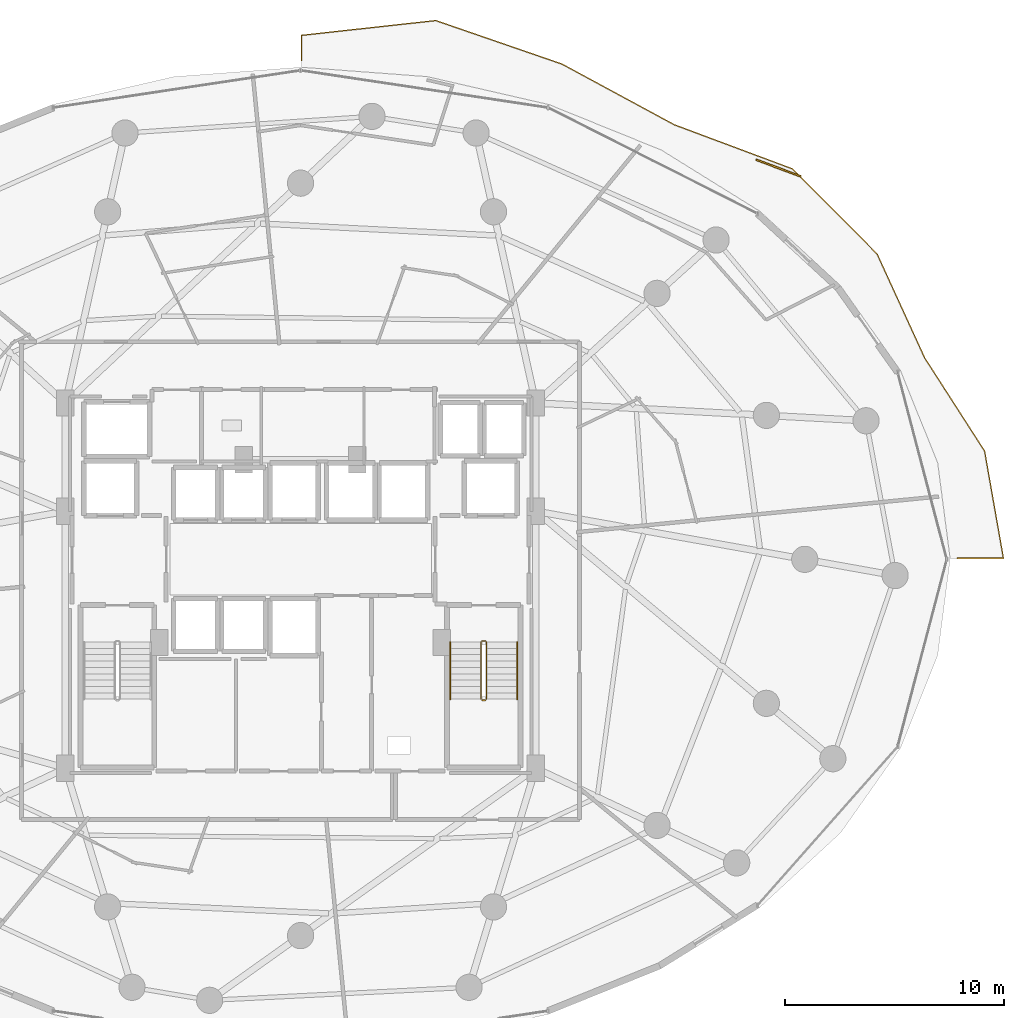
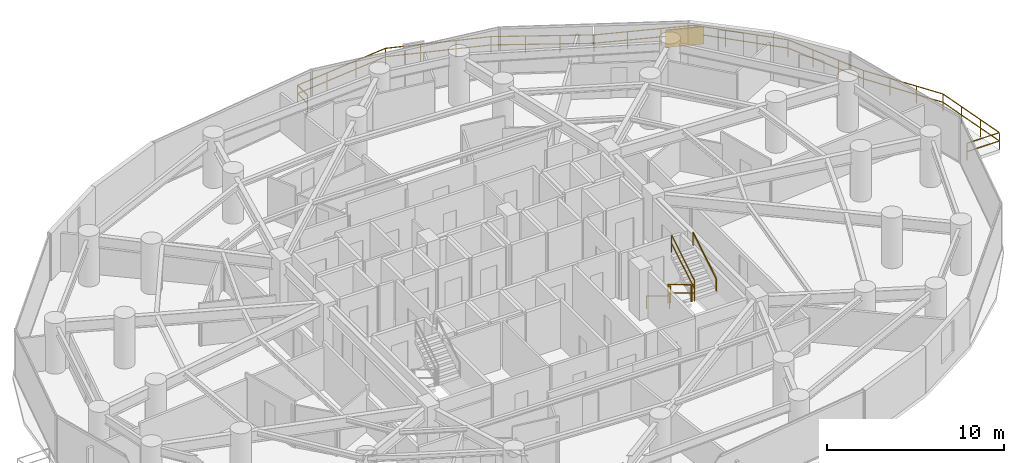
# One storey, part 32 of 33: 8 railings, 1 shading device.
"""IFC4 building model written with IfcOpenShell, lengths in metres."""

from ifc_helpers import new_model, si_unit, direction, frame, origin, origin_2d, place, context, subcontext, project, spatial, rectangle, extrude, material, type_object, element, save


model = new_model("IFC4")

# Units and contexts
model_context = context("Model", 3, precision=1e-05, world=origin(), true_north=direction((0.0, 1.0)))
body_context = subcontext(model_context, "Body", "Model", "MODEL_VIEW")
ifc_project = project(units=[si_unit("LENGTHUNIT", "METRE"), si_unit("AREAUNIT", "SQUARE_METRE"), si_unit("VOLUMEUNIT", "CUBIC_METRE"), si_unit("PLANEANGLEUNIT", "RADIAN"), si_unit("MASSUNIT", "GRAM", prefix="KILO")], contexts=[model_context])

# Site, building, storey
site_placement = place(None, origin())
site = spatial("IfcSite", under=ifc_project, at=site_placement, CompositionType="ELEMENT")
building_placement = place(site_placement, origin())
building = spatial("IfcBuilding", under=site, at=building_placement, Name="Vorneva Point Tower", CompositionType="ELEMENT")
storey_placement = place(building_placement, frame((0.0, 0.0, 59.0)))
storey = spatial("IfcBuildingStorey", under=building, at=storey_placement, Name="L15", CompositionType="ELEMENT", Elevation=59.0)

# Railings
ifc_material_1 = material(Name="Pale anodised aluminium", Category="aluminium")
railing_type_1 = type_object("IfcRailingType", Name="RL-BAL-1200", PredefinedType="BALUSTRADE", material=ifc_material_1)
railing_1_placement = place(storey_placement, frame((38.050048828125, 49.96044921875, 0.0)))
element("IfcRailing", 1, at=railing_1_placement, inside=storey, type_object=railing_type_1, Name="L15 Wave Balcony Balustrade NE.1", PredefinedType="BALUSTRADE", context=body_context, shape_type="SweptSolid", body=[
    extrude(rectangle(XDim=0.048095703125, YDim=0.048095703125, at=origin_2d()), frame((0.0, 0.0, 1.17578125), z_axis=(0.0, -1.0, 0.0), x_axis=(1.0, 0.0, 0.0)), (0.0, 0.0, 1.0), 1.143310546875),
    extrude(rectangle(XDim=0.048095703125, YDim=0.048095703125, at=origin_2d()), frame((0.0, 0.0, 0.60009765625), z_axis=(0.0, -1.0, 0.0), x_axis=(1.0, 0.0, 0.0)), (0.0, 0.0, 1.0), 1.143310546875),
    extrude(rectangle(XDim=0.0419921875, YDim=0.0419921875, at=origin_2d()), origin(), (0.0, 0.0, 1.0), 1.15185546875),
    extrude(rectangle(XDim=0.0419921875, YDim=0.0419921875, at=origin_2d()), frame((0.0, -1.143310546875, 0.0)), (0.0, 0.0, 1.0), 1.15185546875),
])
railing_2_placement = place(storey_placement, frame((68.01611328125, 26.050048828125, 0.0)))
element("IfcRailing", 2, at=railing_2_placement, inside=storey, type_object=railing_type_1, Name="L15 Wave Balcony Balustrade NE.2", PredefinedType="BALUSTRADE", context=body_context, shape_type="SweptSolid", body=[
    extrude(rectangle(XDim=0.048095703125, YDim=0.048095703125, at=origin_2d()), frame((0.0, 0.0, 1.17578125), z_axis=(1.0, 0.0, 0.0), x_axis=(0.0, 1.0, 0.0)), (0.0, 0.0, 1.0), 2.1201171875),
    extrude(rectangle(XDim=0.048095703125, YDim=0.048095703125, at=origin_2d()), frame((0.0, 0.0, 0.60009765625), z_axis=(1.0, 0.0, 0.0), x_axis=(0.0, 1.0, 0.0)), (0.0, 0.0, 1.0), 2.1201171875),
    extrude(rectangle(XDim=0.048095703125, YDim=0.048095703125, at=origin_2d()), frame((2.1201171875, 0.0, 1.17578125), z_axis=(-0.173125012369, 0.9848998579, 0.0), x_axis=(-0.9848998579, -0.173125012369, 0.0)), (0.0, 0.0, 1.0), 4.97802734375),
    extrude(rectangle(XDim=0.048095703125, YDim=0.048095703125, at=origin_2d()), frame((2.1201171875, 0.0, 0.60009765625), z_axis=(-0.173125012369, 0.9848998579, 0.0), x_axis=(-0.9848998579, -0.173125012369, 0.0)), (0.0, 0.0, 1.0), 4.97802734375),
    extrude(rectangle(XDim=0.048095703125, YDim=0.048095703125, at=origin_2d()), frame((1.25830078125, 4.90283203125, 1.17578125), z_axis=(-0.541013524432, 0.841013891907, 0.0), x_axis=(-0.841013891907, -0.541013524432, 0.0)), (0.0, 0.0, 1.0), 5.061767578125),
    extrude(rectangle(XDim=0.048095703125, YDim=0.048095703125, at=origin_2d()), frame((1.25830078125, 4.90283203125, 0.60009765625), z_axis=(-0.541013524432, 0.841013891907, 0.0), x_axis=(-0.841013891907, -0.541013524432, 0.0)), (0.0, 0.0, 1.0), 5.061767578125),
    extrude(rectangle(XDim=0.048095703125, YDim=0.048095703125, at=origin_2d()), frame((-1.480224609375, 9.159912109375, 1.17578125), z_axis=(-0.416265850163, 0.909242949925, 0.0), x_axis=(-0.909242949925, -0.416265850163, 0.0)), (0.0, 0.0, 1.0), 5.232177734375),
    extrude(rectangle(XDim=0.048095703125, YDim=0.048095703125, at=origin_2d()), frame((-1.480224609375, 9.159912109375, 0.60009765625), z_axis=(-0.416265850163, 0.909242949925, 0.0), x_axis=(-0.909242949925, -0.416265850163, 0.0)), (0.0, 0.0, 1.0), 5.232177734375),
    extrude(rectangle(XDim=0.048095703125, YDim=0.048095703125, at=origin_2d()), frame((-3.658203125, 13.917236328125, 1.17578125), z_axis=(-0.706084277619, 0.708127808308, 0.0), x_axis=(-0.708127808308, -0.706084277619, 0.0)), (0.0, 0.0, 1.0), 5.49560546875),
    extrude(rectangle(XDim=0.048095703125, YDim=0.048095703125, at=origin_2d()), frame((-3.658203125, 13.917236328125, 0.60009765625), z_axis=(-0.706084277619, 0.708127808308, 0.0), x_axis=(-0.708127808308, -0.706084277619, 0.0)), (0.0, 0.0, 1.0), 5.49560546875),
    extrude(rectangle(XDim=0.048095703125, YDim=0.048095703125, at=origin_2d()), frame((-7.53857421875, 17.808837890625, 1.17578125), z_axis=(-0.936825380414, 0.349797379366, 0.0), x_axis=(-0.349797379366, -0.936825380414, 0.0)), (0.0, 0.0, 1.0), 5.751708984375),
    extrude(rectangle(XDim=0.048095703125, YDim=0.048095703125, at=origin_2d()), frame((-7.53857421875, 17.808837890625, 0.60009765625), z_axis=(-0.936825380414, 0.349797379366, 0.0), x_axis=(-0.349797379366, -0.936825380414, 0.0)), (0.0, 0.0, 1.0), 5.751708984375),
    extrude(rectangle(XDim=0.048095703125, YDim=0.048095703125, at=origin_2d()), frame((-12.927001953125, 19.82080078125, 1.17578125), z_axis=(-0.879801939077, 0.475340454829, 0.0), x_axis=(-0.475340454829, -0.879801939077, 0.0)), (0.0, 0.0, 1.0), 5.841796875),
    extrude(rectangle(XDim=0.048095703125, YDim=0.048095703125, at=origin_2d()), frame((-12.927001953125, 19.82080078125, 0.60009765625), z_axis=(-0.879801939077, 0.475340454829, 0.0), x_axis=(-0.475340454829, -0.879801939077, 0.0)), (0.0, 0.0, 1.0), 5.841796875),
    extrude(rectangle(XDim=0.048095703125, YDim=0.048095703125, at=origin_2d()), frame((-18.066650390625, 22.59765625, 1.17578125), z_axis=(-0.945437599606, 0.32580323088, 0.0), x_axis=(-0.32580323088, -0.945437599606, 0.0)), (0.0, 0.0, 1.0), 6.101318359375),
    extrude(rectangle(XDim=0.048095703125, YDim=0.048095703125, at=origin_2d()), frame((-18.066650390625, 22.59765625, 0.60009765625), z_axis=(-0.945437599606, 0.32580323088, 0.0), x_axis=(-0.32580323088, -0.945437599606, 0.0)), (0.0, 0.0, 1.0), 6.101318359375),
    extrude(rectangle(XDim=0.048095703125, YDim=0.048095703125, at=origin_2d()), frame((-23.8349609375, 24.58544921875, 1.17578125), z_axis=(-0.993993295129, -0.109440985188, 0.0), x_axis=(0.109440985188, -0.993993295129, 0.0)), (0.0, 0.0, 1.0), 6.168212890625),
    extrude(rectangle(XDim=0.048095703125, YDim=0.048095703125, at=origin_2d()), frame((-23.8349609375, 24.58544921875, 0.60009765625), z_axis=(-0.993993295129, -0.109440985188, 0.0), x_axis=(0.109440985188, -0.993993295129, 0.0)), (0.0, 0.0, 1.0), 6.168212890625),
    extrude(rectangle(XDim=0.0419921875, YDim=0.0419921875, at=origin_2d()), origin(), (0.0, 0.0, 1.0), 1.15185546875),
    extrude(rectangle(XDim=0.0419921875, YDim=0.0419921875, at=origin_2d()), frame((2.1201171875, 0.0, 0.0)), (0.0, 0.0, 1.0), 1.15185546875),
    extrude(rectangle(XDim=0.0419921875, YDim=0.0419921875, at=origin_2d()), frame((1.832763671875, 1.63427734375, 0.0)), (0.0, 0.0, 1.0), 1.15185546875),
    extrude(rectangle(XDim=0.0419921875, YDim=0.0419921875, at=origin_2d()), frame((1.545654296875, 3.2685546875, 0.0)), (0.0, 0.0, 1.0), 1.15185546875),
    extrude(rectangle(XDim=0.0419921875, YDim=0.0419921875, at=origin_2d()), frame((1.25830078125, 4.90283203125, 0.0)), (0.0, 0.0, 1.0), 1.15185546875),
    extrude(rectangle(XDim=0.0419921875, YDim=0.0419921875, at=origin_2d()), frame((0.345458984375, 6.32177734375, 0.0)), (0.0, 0.0, 1.0), 1.15185546875),
    extrude(rectangle(XDim=0.0419921875, YDim=0.0419921875, at=origin_2d()), frame((-0.5673828125, 7.740966796875, 0.0)), (0.0, 0.0, 1.0), 1.15185546875),
    extrude(rectangle(XDim=0.0419921875, YDim=0.0419921875, at=origin_2d()), frame((-1.480224609375, 9.159912109375, 0.0)), (0.0, 0.0, 1.0), 1.15185546875),
    extrude(rectangle(XDim=0.0419921875, YDim=0.0419921875, at=origin_2d()), frame((-2.206298828125, 10.74560546875, 0.0)), (0.0, 0.0, 1.0), 1.15185546875),
    extrude(rectangle(XDim=0.0419921875, YDim=0.0419921875, at=origin_2d()), frame((-2.93212890625, 12.33154296875, 0.0)), (0.0, 0.0, 1.0), 1.15185546875),
    extrude(rectangle(XDim=0.0419921875, YDim=0.0419921875, at=origin_2d()), frame((-3.658203125, 13.917236328125, 0.0)), (0.0, 0.0, 1.0), 1.15185546875),
    extrude(rectangle(XDim=0.0419921875, YDim=0.0419921875, at=origin_2d()), frame((-4.95166015625, 15.21435546875, 0.0)), (0.0, 0.0, 1.0), 1.15185546875),
    extrude(rectangle(XDim=0.0419921875, YDim=0.0419921875, at=origin_2d()), frame((-6.2451171875, 16.51171875, 0.0)), (0.0, 0.0, 1.0), 1.15185546875),
    extrude(rectangle(XDim=0.0419921875, YDim=0.0419921875, at=origin_2d()), frame((-7.53857421875, 17.808837890625, 0.0)), (0.0, 0.0, 1.0), 1.15185546875),
    extrude(rectangle(XDim=0.0419921875, YDim=0.0419921875, at=origin_2d()), frame((-9.334716796875, 18.4794921875, 0.0)), (0.0, 0.0, 1.0), 1.15185546875),
    extrude(rectangle(XDim=0.0419921875, YDim=0.0419921875, at=origin_2d()), frame((-11.130859375, 19.150146484375, 0.0)), (0.0, 0.0, 1.0), 1.15185546875),
    extrude(rectangle(XDim=0.0419921875, YDim=0.0419921875, at=origin_2d()), frame((-12.927001953125, 19.82080078125, 0.0)), (0.0, 0.0, 1.0), 1.15185546875),
    extrude(rectangle(XDim=0.0419921875, YDim=0.0419921875, at=origin_2d()), frame((-14.64013671875, 20.746337890625, 0.0)), (0.0, 0.0, 1.0), 1.15185546875),
    extrude(rectangle(XDim=0.0419921875, YDim=0.0419921875, at=origin_2d()), frame((-16.353515625, 21.672119140625, 0.0)), (0.0, 0.0, 1.0), 1.15185546875),
    extrude(rectangle(XDim=0.0419921875, YDim=0.0419921875, at=origin_2d()), frame((-18.066650390625, 22.59765625, 0.0)), (0.0, 0.0, 1.0), 1.15185546875),
    extrude(rectangle(XDim=0.0419921875, YDim=0.0419921875, at=origin_2d()), frame((-19.989501953125, 23.26025390625, 0.0)), (0.0, 0.0, 1.0), 1.15185546875),
    extrude(rectangle(XDim=0.0419921875, YDim=0.0419921875, at=origin_2d()), frame((-21.912109375, 23.9228515625, 0.0)), (0.0, 0.0, 1.0), 1.15185546875),
    extrude(rectangle(XDim=0.0419921875, YDim=0.0419921875, at=origin_2d()), frame((-23.8349609375, 24.58544921875, 0.0)), (0.0, 0.0, 1.0), 1.15185546875),
    extrude(rectangle(XDim=0.0419921875, YDim=0.0419921875, at=origin_2d()), frame((-25.878662109375, 24.3603515625, 0.0)), (0.0, 0.0, 1.0), 1.15185546875),
    extrude(rectangle(XDim=0.0419921875, YDim=0.0419921875, at=origin_2d()), frame((-27.92236328125, 24.135498046875, 0.0)), (0.0, 0.0, 1.0), 1.15185546875),
    extrude(rectangle(XDim=0.0419921875, YDim=0.0419921875, at=origin_2d()), frame((-29.966064453125, 23.910400390625, 0.0)), (0.0, 0.0, 1.0), 1.15185546875),
])
ifc_material_2 = material(Name="Brushed stainless steel S304", Category="steel")
railing_type_2 = type_object("IfcRailingType", Name="RL-HND-920", PredefinedType="HANDRAIL", material=ifc_material_2)
railing_3_placement = place(storey_placement, frame((44.85009765625, 22.219970703125, 0.175048828125)))
element("IfcRailing", 3, at=railing_3_placement, inside=storey, type_object=railing_type_2, Name="L15 ST2 stair handrail 1", PredefinedType="HANDRAIL", context=body_context, shape_type="SweptSolid", body=[
    extrude(rectangle(XDim=0.048095703125, YDim=0.048095703125, at=origin_2d()), frame((0.0, 0.0, 0.8759765625), z_axis=(0.0, -0.85618277418, 0.516673066065), x_axis=(1.0, 0.0, 0.0)), (0.0, 0.0, 1.0), 3.04833984375),
    extrude(rectangle(XDim=0.0419921875, YDim=0.0419921875, at=origin_2d()), origin(), (0.0, 0.0, 1.0), 0.851806640625),
    extrude(rectangle(XDim=0.0419921875, YDim=0.0419921875, at=origin_2d()), frame((0.0, -2.60986328125, 1.574951171875)), (0.0, 0.0, 1.0), 0.851806640625),
])
railing_4_placement = place(storey_placement, frame((47.89990234375, 19.610107421875, 1.925048828125)))
element("IfcRailing", 4, at=railing_4_placement, inside=storey, type_object=railing_type_2, Name="L15 ST2 stair handrail 2", PredefinedType="HANDRAIL", context=body_context, shape_type="SweptSolid", body=[
    extrude(rectangle(XDim=0.048095703125, YDim=0.048095703125, at=origin_2d()), frame((0.0, 0.0, 0.8759765625), z_axis=(0.0, 0.85618277418, 0.516673066065), x_axis=(-1.0, 0.0, 0.0)), (0.0, 0.0, 1.0), 3.04833984375),
    extrude(rectangle(XDim=0.0419921875, YDim=0.0419921875, at=origin_2d()), origin(), (0.0, 0.0, 1.0), 0.851806640625),
    extrude(rectangle(XDim=0.0419921875, YDim=0.0419921875, at=origin_2d()), frame((0.0, 2.60986328125, 1.574951171875)), (0.0, 0.0, 1.0), 0.851806640625),
])
railing_type_3 = type_object("IfcRailingType", Name="RL-STG-1100", PredefinedType="GUARDRAIL", material=ifc_material_2)
railing_5_placement = place(storey_placement, frame((46.25, 22.219970703125, 0.175048828125)))
element("IfcRailing", 5, at=railing_5_placement, inside=storey, type_object=railing_type_3, Name="L15 ST2 stair guard 1", PredefinedType="GUARDRAIL", context=body_context, shape_type="SweptSolid", body=[
    extrude(rectangle(XDim=0.048095703125, YDim=0.048095703125, at=origin_2d()), frame((0.0, 0.0, 1.17578125), z_axis=(0.0, -0.85618277418, 0.516673066065), x_axis=(1.0, 0.0, 0.0)), (0.0, 0.0, 1.0), 3.04833984375),
    extrude(rectangle(XDim=0.048095703125, YDim=0.048095703125, at=origin_2d()), frame((0.0, 0.0, 0.60009765625), z_axis=(0.0, -0.85618277418, 0.516673066065), x_axis=(1.0, 0.0, 0.0)), (0.0, 0.0, 1.0), 3.04833984375),
    extrude(rectangle(XDim=0.0419921875, YDim=0.0419921875, at=origin_2d()), origin(), (0.0, 0.0, 1.0), 1.15185546875),
    extrude(rectangle(XDim=0.0419921875, YDim=0.0419921875, at=origin_2d()), frame((0.0, -2.60986328125, 1.574951171875)), (0.0, 0.0, 1.0), 1.15185546875),
])
railing_6_placement = place(storey_placement, frame((46.300048828125, 19.56005859375, 1.75)))
element("IfcRailing", 6, at=railing_6_placement, inside=storey, type_object=railing_type_3, Name="L15 ST2 stair guard 2", PredefinedType="GUARDRAIL", context=body_context, shape_type="SweptSolid", body=[
    extrude(rectangle(XDim=0.048095703125, YDim=0.048095703125, at=origin_2d()), frame((0.0, 0.0, 1.17578125), z_axis=(1.0, 0.0, 0.0), x_axis=(0.0, 1.0, 0.0)), (0.0, 0.0, 1.0), 0.14990234375),
    extrude(rectangle(XDim=0.048095703125, YDim=0.048095703125, at=origin_2d()), frame((0.0, 0.0, 0.60009765625), z_axis=(1.0, 0.0, 0.0), x_axis=(0.0, 1.0, 0.0)), (0.0, 0.0, 1.0), 0.14990234375),
    extrude(rectangle(XDim=0.0419921875, YDim=0.0419921875, at=origin_2d()), origin(), (0.0, 0.0, 1.0), 1.15185546875),
    extrude(rectangle(XDim=0.0419921875, YDim=0.0419921875, at=origin_2d()), frame((0.14990234375, 0.0, 0.0)), (0.0, 0.0, 1.0), 1.15185546875),
])
railing_7_placement = place(storey_placement, frame((46.5, 19.610107421875, 1.925048828125)))
element("IfcRailing", 7, at=railing_7_placement, inside=storey, type_object=railing_type_3, Name="L15 ST2 stair guard 3", PredefinedType="GUARDRAIL", context=body_context, shape_type="SweptSolid", body=[
    extrude(rectangle(XDim=0.048095703125, YDim=0.048095703125, at=origin_2d()), frame((0.0, 0.0, 1.17578125), z_axis=(0.0, 0.85618277418, 0.516673066065), x_axis=(-1.0, 0.0, 0.0)), (0.0, 0.0, 1.0), 3.04833984375),
    extrude(rectangle(XDim=0.048095703125, YDim=0.048095703125, at=origin_2d()), frame((0.0, 0.0, 0.60009765625), z_axis=(0.0, 0.85618277418, 0.516673066065), x_axis=(-1.0, 0.0, 0.0)), (0.0, 0.0, 1.0), 3.04833984375),
    extrude(rectangle(XDim=0.0419921875, YDim=0.0419921875, at=origin_2d()), origin(), (0.0, 0.0, 1.0), 1.15185546875),
    extrude(rectangle(XDim=0.0419921875, YDim=0.0419921875, at=origin_2d()), frame((0.0, 2.60986328125, 1.574951171875)), (0.0, 0.0, 1.0), 1.15185546875),
])
railing_8_placement = place(storey_placement, frame((46.300048828125, 22.27001953125, 0.0)))
element("IfcRailing", 8, at=railing_8_placement, inside=storey, type_object=railing_type_3, Name="L15 ST2 stair guard 4", PredefinedType="GUARDRAIL", context=body_context, shape_type="SweptSolid", body=[
    extrude(rectangle(XDim=0.048095703125, YDim=0.048095703125, at=origin_2d()), frame((0.0, 0.0, 1.17578125), z_axis=(1.0, 0.0, 0.0), x_axis=(0.0, 1.0, 0.0)), (0.0, 0.0, 1.0), 0.14990234375),
    extrude(rectangle(XDim=0.048095703125, YDim=0.048095703125, at=origin_2d()), frame((0.0, 0.0, 0.60009765625), z_axis=(1.0, 0.0, 0.0), x_axis=(0.0, 1.0, 0.0)), (0.0, 0.0, 1.0), 0.14990234375),
    extrude(rectangle(XDim=0.0419921875, YDim=0.0419921875, at=origin_2d()), origin(), (0.0, 0.0, 1.0), 1.15185546875),
    extrude(rectangle(XDim=0.0419921875, YDim=0.0419921875, at=origin_2d()), frame((0.14990234375, 0.0, 0.0)), (0.0, 0.0, 1.0), 1.15185546875),
])

# Shading device
shading_device_type = type_object("IfcShadingDeviceType", Name="SHD-JAL-1200", PredefinedType="JALOUSIE", material=ifc_material_1)
shading_device_placement = place(storey_placement, frame((59.850341796875, 43.889892578125, -0.02001953125), z_axis=(0.0, 0.0, 1.0), x_axis=(-0.936818801595, 0.349814998218, 0.0)))
element("IfcShadingDevice", 9, at=shading_device_placement, inside=storey, type_object=shading_device_type, Name="L15 Balcony Vertical-Greenery Planter Screen NE.2", PredefinedType="JALOUSIE", context=body_context, shape_type="SweptSolid", body=[
    extrude(rectangle(XDim=2.199951171875, YDim=0.080078125, at=origin_2d()), origin(), (0.0, 0.0, 1.0), 1.199951171875),
])

save(model, "model.ifc")
